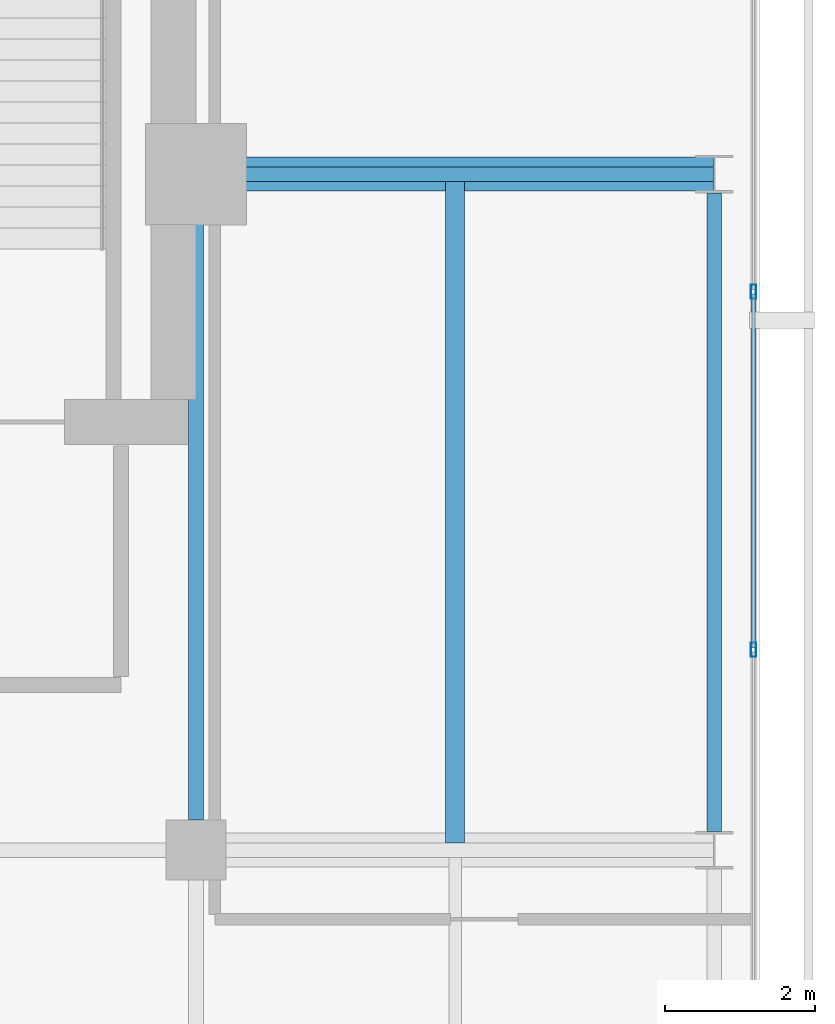
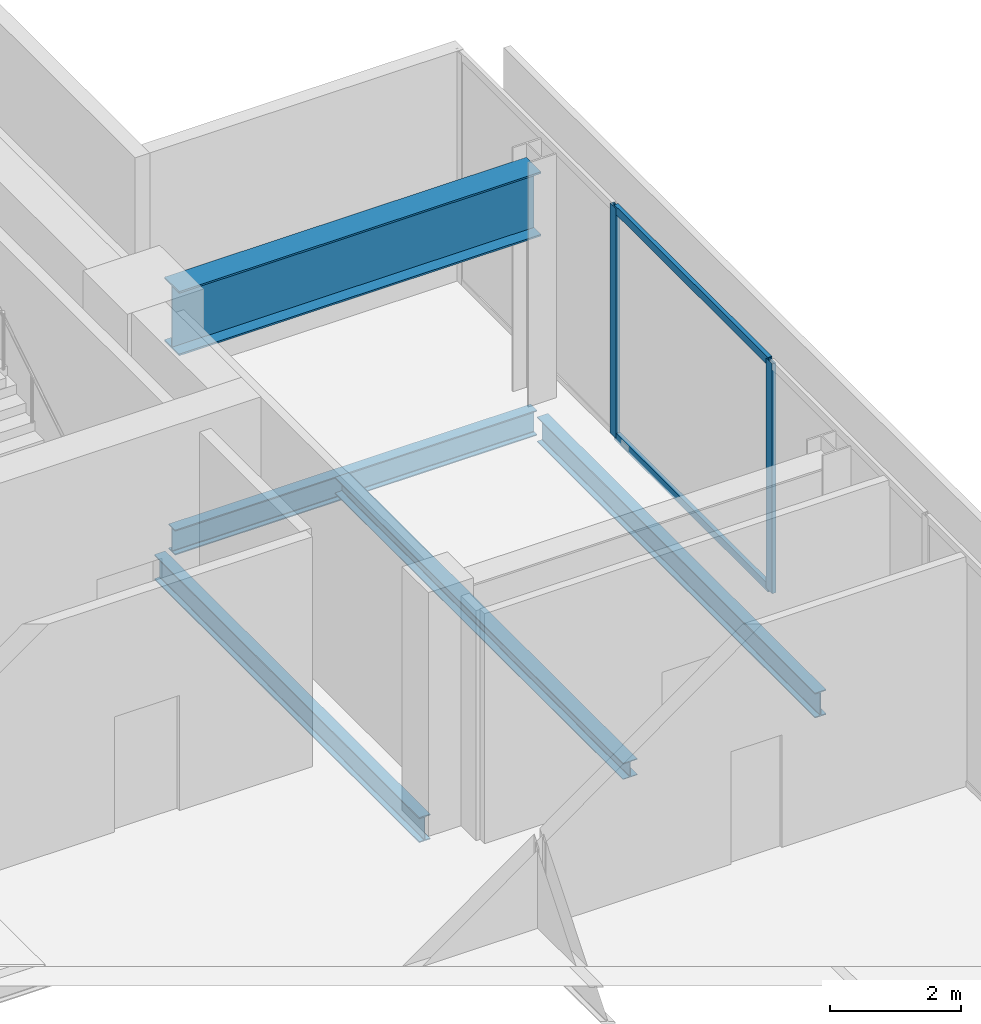
# One storey, part 13 of 23: 5 beams, 4 members, 1 element without a shape of its own.
"""IFC4 building model written with IfcOpenShell, lengths in metres."""

from ifc_helpers import new_model, si_unit, direction, frame, origin, origin_2d, place, context, subcontext, project, spatial, hollow_rectangle, i_section, extrude, material, layer, layer_set, material_profile, profile_set, type_object, element, aggregate, save


model = new_model("IFC4")

# Units and contexts
model_context = context("Model", 3, precision=1e-05, world=origin(), true_north=direction((0.0, 1.0)))
body_context = subcontext(model_context, "Body", "Model", "MODEL_VIEW")
ifc_project = project(units=[si_unit("LENGTHUNIT", "METRE"), si_unit("AREAUNIT", "SQUARE_METRE"), si_unit("VOLUMEUNIT", "CUBIC_METRE"), si_unit("PLANEANGLEUNIT", "RADIAN"), si_unit("MASSUNIT", "GRAM", prefix="KILO")], contexts=[model_context])

# Site, building, storey
site_placement = place(None, origin())
site = spatial("IfcSite", under=ifc_project, at=site_placement, CompositionType="ELEMENT")
building_placement = place(site_placement, origin())
building = spatial("IfcBuilding", under=site, at=building_placement, Name="Maruvema Waterfront Hotel and Observation Tower", CompositionType="ELEMENT")
storey_placement = place(building_placement, frame((0.0, 0.0, 349.64990234375)))
storey = spatial("IfcBuildingStorey", under=building, at=storey_placement, Name="L86", CompositionType="ELEMENT", Elevation=349.64990234375)

# Curtain wall, members
ifc_material_1 = material(Name="Anodised bronze aluminium and solar-control low-E IGU", Category="aluminium")
ifc_layer = layer(ifc_material_1, 0.159912109375, Name="Observation Crown Structural Glazed Curtain Wall System CW-06")
ifc_layer_set = layer_set([ifc_layer], Name="Anodised bronze aluminium and solar-control low-E IGU")
curtain_wall_type = type_object("IfcCurtainWallType", Name="Observation Crown Structural Glazed Curtain Wall System CW-06", PredefinedType="USERDEFINED", material=ifc_layer_set)
curtain_wall_placement = place(storey_placement, origin())
curtain_wall = element("IfcCurtainWall", 1, at=curtain_wall_placement, inside=storey, type_object=curtain_wall_type, Name="L86 Curtain Wall CW-L86-E", ObjectType="UNITISED CURTAIN WALL", PredefinedType="USERDEFINED")
ifc_material_2 = material(Name="Anodised architectural bronze aluminium", Category="aluminium")
ifc_material_profile_1 = material_profile(ifc_material_2, hollow_rectangle(XDim=0.070068359375, YDim=0.14990234375, WallThickness=0.00390625, at=origin_2d()), Name="ALU-T70x150")
ifc_profile_set_1 = profile_set([ifc_material_profile_1], Name="Anodised architectural bronze aluminium")
member_type_1 = type_object("IfcMemberType", Name="Curtain Wall Horizontal Transom ALU-T70x150", PredefinedType="USERDEFINED", material=ifc_profile_set_1)
member_1_placement = place(storey_placement, frame((57.820068359375, 38.69677734375, 0.030029296875), z_axis=(0.0, 1.0, 0.0), x_axis=(-1.0, 0.0, 0.0)))
member_1 = element("IfcMember", 2, at=member_1_placement, type_object=member_type_1, Name="CW-06 transom 5.1", ObjectType="TRANSOM", PredefinedType="USERDEFINED", context=body_context, shape_type="SweptSolid", body=[
    extrude(hollow_rectangle(XDim=0.070068359375, YDim=0.14990234375, WallThickness=0.00390625, at=origin_2d()), origin(), (0.0, 0.0, 1.0), 4.70654296875),
])
member_2_placement = place(storey_placement, frame((57.820068359375, 38.69677734375, 4.260009765625), z_axis=(0.0, 1.0, 0.0), x_axis=(-1.0, 0.0, 0.0)))
member_2 = element("IfcMember", 3, at=member_2_placement, type_object=member_type_1, Name="CW-06 transom 5.2", ObjectType="TRANSOM", PredefinedType="USERDEFINED", context=body_context, shape_type="SweptSolid", body=[
    extrude(hollow_rectangle(XDim=0.070068359375, YDim=0.14990234375, WallThickness=0.00390625, at=origin_2d()), origin(), (0.0, 0.0, 1.0), 4.70654296875),
])
ifc_material_3 = material(Name="Anodised architectural bronze aluminium", Category="aluminium")
ifc_material_profile_2 = material_profile(ifc_material_3, hollow_rectangle(XDim=0.070068359375, YDim=0.18994140625, WallThickness=0.00390625, at=origin_2d()), Name="ALU-M70x190")
ifc_profile_set_2 = profile_set([ifc_material_profile_2], Name="Anodised architectural bronze aluminium")
member_type_2 = type_object("IfcMemberType", Name="Podium Storefront Heavy Mullion ALU-M70x190", PredefinedType="MULLION", material=ifc_profile_set_2)
member_3_placement = place(storey_placement, frame((57.820068359375, 38.666748046875, 0.0), z_axis=(0.0, 0.0, 1.0), x_axis=(-1.0, 0.0, 0.0)))
member_3 = element("IfcMember", 4, at=member_3_placement, type_object=member_type_2, Name="CW-06 mullion 5", PredefinedType="MULLION", context=body_context, shape_type="SweptSolid", body=[
    extrude(hollow_rectangle(XDim=0.070068359375, YDim=0.18994140625, WallThickness=0.00390625, at=origin_2d()), origin(), (0.0, 0.0, 1.0), 4.2900390625),
])
member_4_placement = place(storey_placement, frame((57.820068359375, 43.433349609375, 0.0), z_axis=(0.0, 0.0, 1.0), x_axis=(-1.0, 0.0, 0.0)))
member_4 = element("IfcMember", 5, at=member_4_placement, type_object=member_type_2, Name="CW-06 mullion 6", PredefinedType="MULLION", context=body_context, shape_type="SweptSolid", body=[
    extrude(hollow_rectangle(XDim=0.070068359375, YDim=0.18994140625, WallThickness=0.00390625, at=origin_2d()), origin(), (0.0, 0.0, 1.0), 4.2900390625),
])
aggregate(curtain_wall, [member_3, member_4, member_1, member_2])

# Beams
ifc_material_4 = material(Name="Steel ASTM A572 Grade 50", Category="steel")
ifc_material_profile_3 = material_profile(ifc_material_4, i_section(OverallWidth=0.194091796875, OverallDepth=0.468994140625, WebThickness=0.0126953125, FlangeThickness=0.0205078125, FilletRadius=0.014892578125, at=origin_2d()), Name="W460x106.0")
ifc_profile_set_3 = profile_set([ifc_material_profile_3], Name="Steel ASTM A572 Grade 50")
beam_type_1 = type_object("IfcBeamType", Name="Primary Floor Girder W460x106.0", PredefinedType="BEAM", material=ifc_profile_set_3)
beam_1_placement = place(storey_placement, frame((50.89990234375, 45.0, -0.474365234375), z_axis=(1.0, 0.0, 0.0), x_axis=(0.0, 1.0, 0.0)))
element("IfcBeam", 6, at=beam_1_placement, inside=storey, type_object=beam_type_1, Name="L86 Floor Girder EW-16", PredefinedType="BEAM", context=body_context, shape_type="SweptSolid", body=[
    extrude(i_section(OverallWidth=0.194091796875, OverallDepth=0.468994140625, WebThickness=0.0126953125, FlangeThickness=0.0205078125, FilletRadius=0.014892578125, at=origin_2d()), origin(), (0.0, 0.0, 1.0), 6.38916015625),
])
beam_2_placement = place(storey_placement, frame((50.39990234375, 36.39990234375, -0.474365234375), z_axis=(0.0, 1.0, 0.0), x_axis=(-1.0, 0.0, 0.0)))
element("IfcBeam", 7, at=beam_2_placement, inside=storey, type_object=beam_type_1, Name="L86 Floor Girder NS-14", PredefinedType="BEAM", context=body_context, shape_type="SweptSolid", body=[
    extrude(i_section(OverallWidth=0.194091796875, OverallDepth=0.468994140625, WebThickness=0.0126953125, FlangeThickness=0.0205078125, FilletRadius=0.014892578125, at=origin_2d()), origin(), (0.0, 0.0, 1.0), 8.10009765625),
])
beam_3_placement = place(storey_placement, frame((57.300048828125, 36.25, -0.474365234375), z_axis=(0.0, 1.0, 0.0), x_axis=(-1.0, 0.0, 0.0)))
element("IfcBeam", 8, at=beam_3_placement, inside=storey, type_object=beam_type_1, Name="L86 Floor Girder NS-16", PredefinedType="BEAM", context=body_context, shape_type="SweptSolid", body=[
    extrude(i_section(OverallWidth=0.194091796875, OverallDepth=0.468994140625, WebThickness=0.0126953125, FlangeThickness=0.0205078125, FilletRadius=0.014892578125, at=origin_2d()), origin(), (0.0, 0.0, 1.0), 8.5),
])
ifc_material_5 = material(Name="Steel ASTM A572 Grade 50", Category="steel")
ifc_material_profile_4 = material_profile(ifc_material_5, i_section(OverallWidth=0.25390625, OverallDepth=0.305908203125, WebThickness=0.0087890625, FlangeThickness=0.0146484375, FilletRadius=0.014892578125, at=origin_2d()), Name="W310x79.0")
ifc_profile_set_4 = profile_set([ifc_material_profile_4], Name="Steel ASTM A572 Grade 50")
beam_type_2 = type_object("IfcBeamType", Name="Secondary Floor Joist W310x79.0", PredefinedType="JOIST", material=ifc_profile_set_4)
beam_4_placement = place(storey_placement, frame((53.85009765625, 36.096923828125, -0.392822265625), z_axis=(0.0, 1.0, 0.0), x_axis=(-1.0, 0.0, 0.0)))
element("IfcBeam", 9, at=beam_4_placement, inside=storey, type_object=beam_type_2, Name="L86 Secondary Floor Joist JS-07", PredefinedType="JOIST", context=body_context, shape_type="SweptSolid", body=[
    extrude(i_section(OverallWidth=0.25390625, OverallDepth=0.305908203125, WebThickness=0.0087890625, FlangeThickness=0.0146484375, FilletRadius=0.014892578125, at=origin_2d()), origin(), (0.0, 0.0, 1.0), 8.80615234375),
])
ifc_material_6 = material(Name="Steel ABNT NBR 7007 AR 415 (ASTM A572 Grade 50)", Category="steel")
ifc_material_profile_5 = material_profile(ifc_material_6, i_section(OverallWidth=0.449951171875, OverallDepth=1.199951171875, WebThickness=0.01904296875, FlangeThickness=0.031982421875, at=origin_2d()), Name="VS1200x366")
ifc_profile_set_5 = profile_set([ifc_material_profile_5], Name="Steel ABNT NBR 7007 AR 415 (ASTM A572 Grade 50)")
beam_type_3 = type_object("IfcBeamType", Name="Upper Setback Transfer Girder VS1200x366", PredefinedType="USERDEFINED", material=ifc_profile_set_5)
beam_5_placement = place(storey_placement, frame((50.89990234375, 45.0, 3.690185546875), z_axis=(1.0, 0.0, 0.0), x_axis=(0.0, 1.0, 0.0)))
element("IfcBeam", 10, at=beam_5_placement, inside=storey, type_object=beam_type_3, Name="L86 Upper Setback Transfer Girder E Y=45.0m", ObjectType="TRANSFER GIRDER", PredefinedType="USERDEFINED", context=body_context, shape_type="SweptSolid", body=[
    extrude(i_section(OverallWidth=0.449951171875, OverallDepth=1.199951171875, WebThickness=0.01904296875, FlangeThickness=0.031982421875, at=origin_2d()), origin(), (0.0, 0.0, 1.0), 6.38916015625),
])

save(model, "model.ifc")
